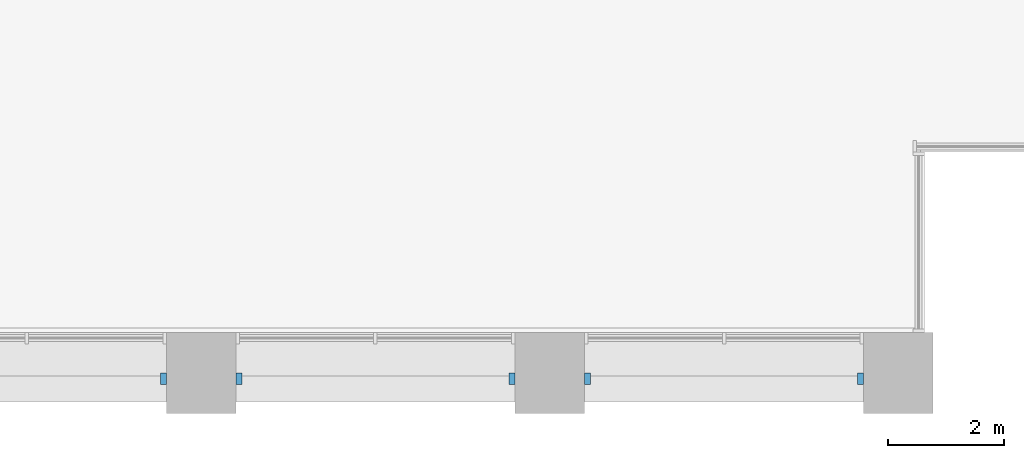
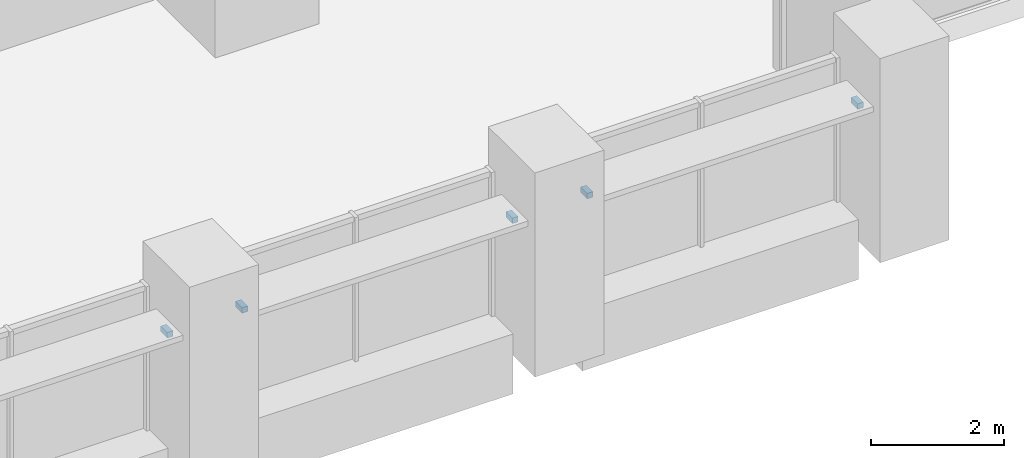
# One storey, part 16 of 18: 5 discrete accessories.
"""IFC4 building model written with IfcOpenShell, lengths in metres."""

from ifc_helpers import new_model, si_unit, direction, frame, origin, origin_2d, place, context, subcontext, project, spatial, rectangle, extrude, element, save


model = new_model("IFC4")

# Units and contexts
model_context = context("Model", 3, precision=1e-05, world=origin(), true_north=direction((0.0, 1.0)))
body_context = subcontext(model_context, "Body", "Model", "MODEL_VIEW")
ifc_project = project(units=[si_unit("LENGTHUNIT", "METRE"), si_unit("AREAUNIT", "SQUARE_METRE"), si_unit("VOLUMEUNIT", "CUBIC_METRE"), si_unit("PLANEANGLEUNIT", "RADIAN"), si_unit("MASSUNIT", "GRAM", prefix="KILO")], contexts=[model_context])

# Site, building, storey
site_placement = place(None, origin())
site = spatial("IfcSite", under=ifc_project, at=site_placement, CompositionType="ELEMENT")
building_placement = place(site_placement, origin())
building = spatial("IfcBuilding", under=site, at=building_placement, Name="Calvaro Tower", CompositionType="ELEMENT")
storey_placement = place(building_placement, frame((0.0, 0.0, 33.75)))
storey = spatial("IfcBuildingStorey", under=building, at=storey_placement, Name="L07", CompositionType="ELEMENT", Elevation=33.75)

# Discrete accessories
for number, where, z_axis, x_axis, name in (
    (1, (59.35009765625, 0.60009765625, 2.14990234375), (0.0, 0.0, 1.0), (1.0, 0.0, 0.0), "Brise-soleil bracket"),
    (2, (60.64990234375, 0.60009765625, 2.14990234375), (0.0, 0.0, 1.0), (1.0, 0.0, 0.0), "Brise-soleil bracket"),
    (3, (65.35009765625, 0.60009765625, 2.14990234375), (0.0, 0.0, 1.0), (1.0, 0.0, 0.0), "Brise-soleil bracket"),
    (4, (66.64990234375, 0.60009765625, 2.14990234375), (0.0, 0.0, 1.0), (1.0, 0.0, 0.0), "Brise-soleil bracket"),
    (5, (71.35009765625, 0.60009765625, 2.14990234375), (0.0, 0.0, 1.0), (1.0, 0.0, 0.0), "Brise-soleil bracket"),
):
    element("IfcDiscreteAccessory", number, at=place(storey_placement, frame(where, z_axis=z_axis, x_axis=x_axis)), inside=storey, Name=name, PredefinedType="BRACKET", context=body_context, shape_type="SweptSolid", body=[
        extrude(rectangle(XDim=0.10009765625, YDim=0.199951171875, at=origin_2d()), origin(), (0.0, 0.0, 1.0), 0.10009765625),
    ])

save(model, "model.ifc")
